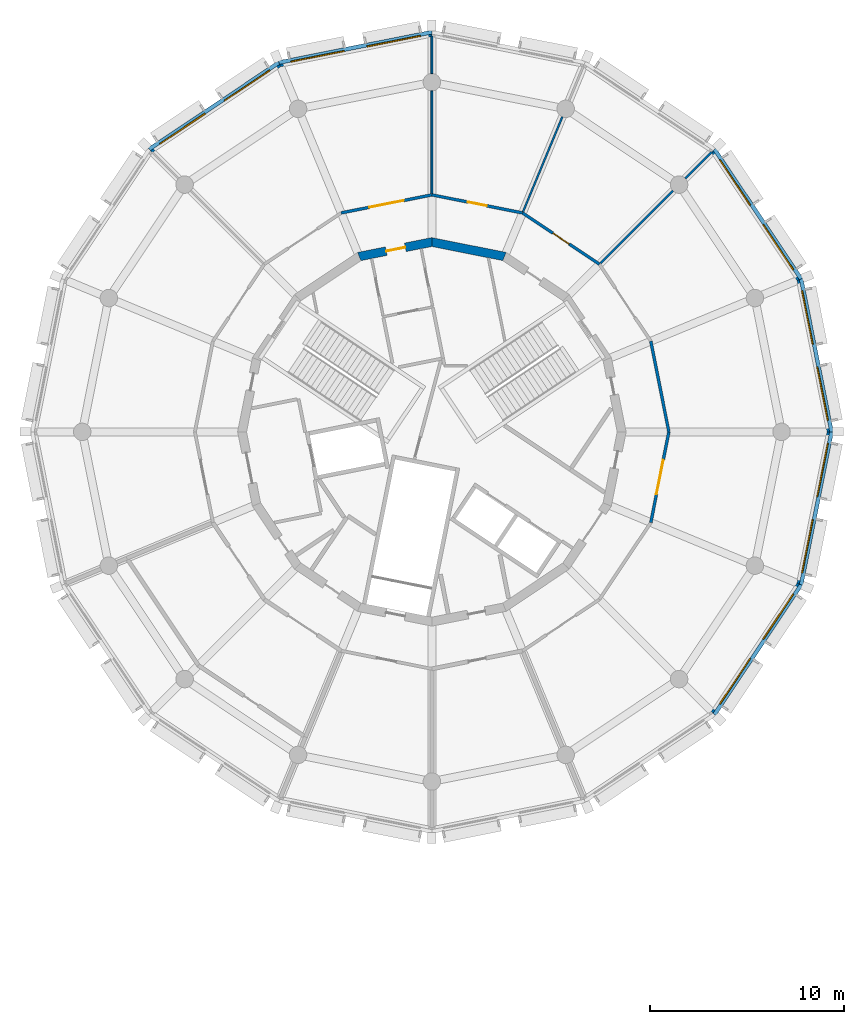
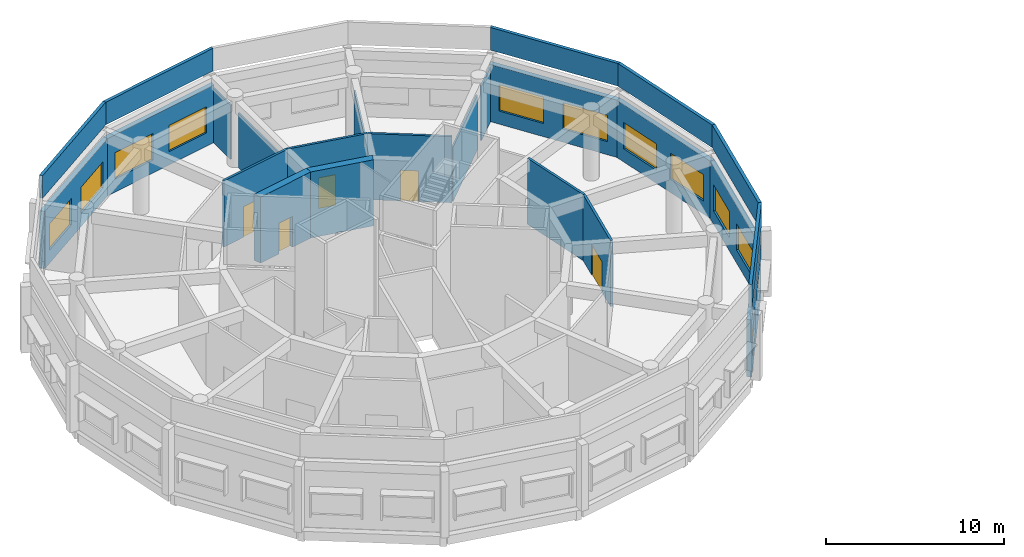
# One storey, part 6 of 8: 24 walls, 12 windows, 5 doors, 17 openings.
"""IFC4 building model written with IfcOpenShell, lengths in metres."""

from ifc_helpers import new_model, si_unit, direction, frame, frame_2d, origin, place, context, subcontext, project, spatial, polyline, rectangle, outline, extrude, material, layer, layer_set, type_object, element, fill, save


model = new_model("IFC4")

# Units and contexts
model_context = context("Model", 3, precision=1e-05, world=origin(), true_north=direction((0.0, 1.0)))
body_context = subcontext(model_context, "Body", "Model", "MODEL_VIEW")
ifc_project = project(units=[si_unit("LENGTHUNIT", "METRE"), si_unit("AREAUNIT", "SQUARE_METRE"), si_unit("VOLUMEUNIT", "CUBIC_METRE"), si_unit("PLANEANGLEUNIT", "RADIAN"), si_unit("MASSUNIT", "GRAM", prefix="KILO")], contexts=[model_context])

# Site, building, storey
site_placement = place(None, origin())
site = spatial("IfcSite", under=ifc_project, at=site_placement, CompositionType="ELEMENT")
building_placement = place(site_placement, origin())
building = spatial("IfcBuilding", under=site, at=building_placement, Name="Ceibo Conservatory and Research Tower", CompositionType="ELEMENT")
storey_placement = place(building_placement, frame((0.0, 0.0, 20.39990234375)))
storey = spatial("IfcBuildingStorey", under=building, at=storey_placement, Name="L04", CompositionType="ELEMENT", Elevation=20.39990234375)

# Wall
ifc_material_1 = material(Name="Concrete C35/45", Category="concrete")
ifc_layer_1 = layer(ifc_material_1, 0.449951171875)
ifc_layer_set_1 = layer_set([ifc_layer_1], Name="Concrete C35/45")
wall_type_1 = type_object("IfcWallType", Name="Core wall 450 C35", PredefinedType="SHEAR", material=ifc_layer_set_1)
wall_1_placement = place(storey_placement, frame((51.739013671875, 129.02685546875, 0.0), z_axis=(0.0, 0.0, 1.0), x_axis=(-0.98078948206, 0.195069197673, 0.0)))
element("IfcWall", 1, at=wall_1_placement, inside=storey, type_object=wall_type_1, Name="Core wall L04 04", PredefinedType="SHEAR", context=body_context, shape_type="SweptSolid", body=[
    extrude(outline(polyline([(-0.044677734375, -0.22509765625), (3.85693359375, -0.22509765625), (3.767578125, 0.22509765625), (0.044677734375, 0.22509765625), (-0.044677734375, -0.22509765625)])), origin(), (0.0, 0.0, 1.0), 4.52001953125),
])

# Wall, opening, door
wall_2_placement = place(storey_placement, frame((48.0, 129.7705078125, 0.0), z_axis=(0.0, 0.0, 1.0), x_axis=(-0.98078948206, -0.195069197673, 0.0)))
wall_2 = element("IfcWall", 2, at=wall_2_placement, inside=storey, type_object=wall_type_1, Name="Core wall L04 05", PredefinedType="SHEAR", context=body_context, shape_type="SweptSolid", body=[
    extrude(outline(polyline([(-0.044677734375, -0.22509765625), (3.85693359375, -0.22509765625), (3.767578125, 0.22509765625), (0.044677734375, 0.22509765625), (-0.044677734375, -0.22509765625)])), origin(), (0.0, 0.0, 1.0), 4.52001953125),
])
opening_1_placement = place(wall_2_placement, frame((1.394775390625, 0.0, 0.0)))
opening_1 = element("IfcOpeningElement", 3, at=opening_1_placement, cuts=wall_2, Name="Opening C04-07", PredefinedType="OPENING", context=body_context, shape_type="SweptSolid", body=[
    extrude(rectangle(XDim=1.0, YDim=2.10009765625, at=frame_2d((0.5, 1.050048828125))), frame((0.0, 0.23486328125, 0.0), z_axis=(0.0, -1.0, 0.0), x_axis=(1.0, 0.0, 0.0)), (0.0, 0.0, 1.0), 0.469970703125),
])
ifc_material_2 = material(Name="Galvanised sheet steel DX51D", Category="steel")
door_type_1 = type_object("IfcDoorType", Name="Lobby door 1000x2100 EI 60 (left hand)", OperationType="SINGLE_SWING_LEFT", PredefinedType="DOOR", material=ifc_material_2)
door_1_placement = place(opening_1_placement, frame((1.0, 0.0, 0.0), z_axis=(0.0, 0.0, 1.0), x_axis=(-1.0, 0.0, 0.0)))
door_1 = element("IfcDoor", 4, at=door_1_placement, inside=storey, type_object=door_type_1, Name="WC Lobby door 04", OperationType="SINGLE_SWING_LEFT", OverallHeight=2.10009765625, OverallWidth=1.0, PredefinedType="DOOR", context=body_context, shape_type="SweptSolid", body=[
    extrude(rectangle(XDim=1.0, YDim=2.10009765625, at=frame_2d((0.5, 1.050048828125))), frame((0.0, 0.02490234375, 0.0), z_axis=(0.0, -1.0, 0.0), x_axis=(1.0, 0.0, 0.0)), (0.0, 0.0, 1.0), 0.050048828125),
])
fill(opening_1, door_1)

# Wall
ifc_material_3 = material(Name="Plasterboard on metal studs, fire board")
ifc_layer_2 = layer(ifc_material_3, 0.14990234375)
ifc_layer_set_2 = layer_set([ifc_layer_2], Name="Plasterboard on metal studs, fire board")
wall_type_2 = type_object("IfcWallType", Name="Corridor wall 150 EI 60", PredefinedType="PARTITIONING", material=ifc_layer_set_2)
wall_3_placement = place(storey_placement, frame((59.271240234375, 124.668701171875, 0.0), z_axis=(0.0, 0.0, 1.0), x_axis=(0.195100129956, -0.980783329432, 0.0)))
element("IfcWall", 5, at=wall_3_placement, inside=storey, type_object=wall_type_2, Name="Partition 04.002", PredefinedType="PARTITIONING", context=body_context, shape_type="SweptSolid", body=[
    extrude(rectangle(XDim=4.76025390625, YDim=0.14990234375, at=frame_2d((2.380126953125, 0.0))), origin(), (0.0, 0.0, 1.0), 4.52001953125),
])

# Wall, opening, door
wall_4_placement = place(storey_placement, frame((52.668701171875, 131.271240234375, 0.0), z_axis=(0.0, 0.0, 1.0), x_axis=(0.831481744248, -0.555552075851, 0.0)))
wall_4 = element("IfcWall", 6, at=wall_4_placement, inside=storey, type_object=wall_type_2, Name="Partition 04.003", PredefinedType="PARTITIONING", context=body_context, shape_type="SweptSolid", body=[
    extrude(rectangle(XDim=4.76025390625, YDim=0.14990234375, at=frame_2d((2.380126953125, 0.0))), origin(), (0.0, 0.0, 1.0), 4.52001953125),
])
opening_2_placement = place(wall_4_placement, frame((1.880126953125, 0.0, 0.0)))
opening_2 = element("IfcOpeningElement", 7, at=opening_2_placement, cuts=wall_4, Name="Opening T04-09", PredefinedType="OPENING", context=body_context, shape_type="SweptSolid", body=[
    extrude(rectangle(XDim=1.0, YDim=2.10009765625, at=frame_2d((0.5, 1.050048828125))), frame((0.0, 0.0849609375, 0.0), z_axis=(0.0, -1.0, 0.0), x_axis=(1.0, 0.0, 0.0)), (0.0, 0.0, 1.0), 0.169921875),
])
door_type_2 = type_object("IfcDoorType", Name="Door fire single wide 1000x2100 EI 60 (left hand)", OperationType="SINGLE_SWING_LEFT", PredefinedType="DOOR", material=ifc_material_2)
door_2_placement = place(opening_2_placement, origin())
door_2 = element("IfcDoor", 8, at=door_2_placement, inside=storey, type_object=door_type_2, Name="Door T04-09", OperationType="SINGLE_SWING_LEFT", OverallHeight=2.10009765625, OverallWidth=1.0, PredefinedType="DOOR", context=body_context, shape_type="SweptSolid", body=[
    extrude(rectangle(XDim=1.0, YDim=2.10009765625, at=frame_2d((0.5, 1.050048828125))), frame((0.0, 0.02490234375, 0.0), z_axis=(0.0, -1.0, 0.0), x_axis=(1.0, 0.0, 0.0)), (0.0, 0.0, 1.0), 0.050048828125),
])
fill(opening_2, door_2)

wall_5_placement = place(storey_placement, frame((48.0, 132.199951171875, 0.0), z_axis=(0.0, 0.0, 1.0), x_axis=(0.980783329432, -0.195100129956, 0.0)))
wall_5 = element("IfcWall", 9, at=wall_5_placement, inside=storey, type_object=wall_type_2, Name="Partition 04.004", PredefinedType="PARTITIONING", context=body_context, shape_type="SweptSolid", body=[
    extrude(rectangle(XDim=4.76025390625, YDim=0.14990234375, at=frame_2d((2.380126953125, 0.0))), origin(), (0.0, 0.0, 1.0), 4.52001953125),
])
opening_3_placement = place(wall_5_placement, frame((1.880126953125, 0.0, 0.0)))
opening_3 = element("IfcOpeningElement", 10, at=opening_3_placement, cuts=wall_5, Name="Opening T04-10", PredefinedType="OPENING", context=body_context, shape_type="SweptSolid", body=[
    extrude(rectangle(XDim=1.0, YDim=2.10009765625, at=frame_2d((0.5, 1.050048828125))), frame((0.0, 0.0849609375, 0.0), z_axis=(0.0, -1.0, 0.0), x_axis=(1.0, 0.0, 0.0)), (0.0, 0.0, 1.0), 0.169921875),
])
door_3_placement = place(opening_3_placement, origin())
door_3 = element("IfcDoor", 11, at=door_3_placement, inside=storey, type_object=door_type_2, Name="Door T04-10", OperationType="SINGLE_SWING_LEFT", OverallHeight=2.10009765625, OverallWidth=1.0, PredefinedType="DOOR", context=body_context, shape_type="SweptSolid", body=[
    extrude(rectangle(XDim=1.0, YDim=2.10009765625, at=frame_2d((0.5, 1.050048828125))), frame((0.0, 0.02490234375, 0.0), z_axis=(0.0, -1.0, 0.0), x_axis=(1.0, 0.0, 0.0)), (0.0, 0.0, 1.0), 0.050048828125),
])
fill(opening_3, door_3)

wall_6_placement = place(storey_placement, frame((43.331298828125, 131.271240234375, 0.0), z_axis=(0.0, 0.0, 1.0), x_axis=(0.980783329432, 0.195100129956, 0.0)))
wall_6 = element("IfcWall", 12, at=wall_6_placement, inside=storey, type_object=wall_type_2, Name="Partition 04.006", PredefinedType="PARTITIONING", context=body_context, shape_type="SweptSolid", body=[
    extrude(rectangle(XDim=4.76025390625, YDim=0.14990234375, at=frame_2d((2.380126953125, 0.0))), origin(), (0.0, 0.0, 1.0), 4.52001953125),
])
opening_4_placement = place(wall_6_placement, frame((1.480224609375, 0.0, 0.0)))
opening_4 = element("IfcOpeningElement", 13, at=opening_4_placement, cuts=wall_6, Name="Opening T04-11", PredefinedType="OPENING", context=body_context, shape_type="SweptSolid", body=[
    extrude(rectangle(XDim=1.800048828125, YDim=2.10009765625, at=frame_2d((0.89990234375, 1.050048828125))), frame((0.0, 0.0849609375, 0.0), z_axis=(0.0, -1.0, 0.0), x_axis=(1.0, 0.0, 0.0)), (0.0, 0.0, 1.0), 0.169921875),
])
door_type_3 = type_object("IfcDoorType", Name="Door fire double 1800x2100 EI 60", OperationType="DOUBLE_DOOR_SINGLE_SWING", PredefinedType="DOOR", material=ifc_material_2)
door_4_placement = place(opening_4_placement, origin())
door_4 = element("IfcDoor", 14, at=door_4_placement, inside=storey, type_object=door_type_3, Name="Door T04-11", OperationType="DOUBLE_DOOR_SINGLE_SWING", OverallHeight=2.10009765625, OverallWidth=1.800048828125, PredefinedType="DOOR", context=body_context, shape_type="SweptSolid", body=[
    extrude(rectangle(XDim=1.800048828125, YDim=2.10009765625, at=frame_2d((0.89990234375, 1.050048828125))), frame((0.0, 0.02490234375, 0.0), z_axis=(0.0, -1.0, 0.0), x_axis=(1.0, 0.0, 0.0)), (0.0, 0.0, 1.0), 0.050048828125),
])
fill(opening_4, door_4)

wall_7_placement = place(storey_placement, frame((60.199951171875, 120.0, 0.0), z_axis=(0.0, 0.0, 1.0), x_axis=(-0.195100129956, -0.980783329432, 0.0)))
wall_7 = element("IfcWall", 15, at=wall_7_placement, inside=storey, type_object=wall_type_2, Name="Partition 04.014", PredefinedType="PARTITIONING", context=body_context, shape_type="SweptSolid", body=[
    extrude(rectangle(XDim=4.76025390625, YDim=0.14990234375, at=frame_2d((2.380126953125, 0.0))), origin(), (0.0, 0.0, 1.0), 4.52001953125),
])
opening_5_placement = place(wall_7_placement, frame((1.480224609375, 0.0, 0.0)))
opening_5 = element("IfcOpeningElement", 16, at=opening_5_placement, cuts=wall_7, Name="Opening T04-07", PredefinedType="OPENING", context=body_context, shape_type="SweptSolid", body=[
    extrude(rectangle(XDim=1.800048828125, YDim=2.10009765625, at=frame_2d((0.89990234375, 1.050048828125))), frame((0.0, 0.0849609375, 0.0), z_axis=(0.0, -1.0, 0.0), x_axis=(1.0, 0.0, 0.0)), (0.0, 0.0, 1.0), 0.169921875),
])
door_5_placement = place(opening_5_placement, origin())
door_5 = element("IfcDoor", 17, at=door_5_placement, inside=storey, type_object=door_type_3, Name="Door T04-07", OperationType="DOUBLE_DOOR_SINGLE_SWING", OverallHeight=2.10009765625, OverallWidth=1.800048828125, PredefinedType="DOOR", context=body_context, shape_type="SweptSolid", body=[
    extrude(rectangle(XDim=1.800048828125, YDim=2.10009765625, at=frame_2d((0.89990234375, 1.050048828125))), frame((0.0, 0.02490234375, 0.0), z_axis=(0.0, -1.0, 0.0), x_axis=(1.0, 0.0, 0.0)), (0.0, 0.0, 1.0), 0.050048828125),
])
fill(opening_5, door_5)

# Wall, openings, windows
ifc_material_4 = material(Name="Ceramic mosaic tessera")
ifc_layer_3 = layer(ifc_material_4, 0.010009765625, Name="Ceramic mosaic")
ifc_material_5 = material(Name="Polymer-modified bedding mortar")
ifc_layer_4 = layer(ifc_material_5, 0.014892578125, Name="Bedding mortar")
ifc_material_6 = material(Name="Mineral wool insulation")
ifc_layer_5 = layer(ifc_material_6, 0.050048828125, Name="Insulation")
ifc_material_7 = material(Name="Concrete C30/37", Category="concrete")
ifc_layer_6 = layer(ifc_material_7, 0.215087890625, Name="Reinforced concrete leaf")
ifc_material_8 = material(Name="Gypsum plaster")
ifc_layer_7 = layer(ifc_material_8, 0.010009765625, Name="Internal plaster")
ifc_layer_set_3 = layer_set([ifc_layer_3, ifc_layer_4, ifc_layer_5, ifc_layer_6, ifc_layer_7], Name="Concrete C30/37")
wall_type_3 = type_object("IfcWallType", Name="Facade panel wall 300", PredefinedType="SOLIDWALL", material=ifc_layer_set_3)
wall_8_placement = place(storey_placement, frame((68.5, 120.0, 0.0), z_axis=(0.0, 0.0, 1.0), x_axis=(-0.195100566, 0.980783242692, 0.0)))
wall_8 = element("IfcWall", 18, at=wall_8_placement, inside=storey, type_object=wall_type_3, Name="Facade wall L04 facet 1", PredefinedType="SOLIDWALL", context=body_context, shape_type="SweptSolid", body=[
    extrude(outline(polyline([(-0.02978515625, -0.14990234375), (8.028564453125, -0.14990234375), (7.968994140625, 0.14990234375), (0.02978515625, 0.14990234375), (-0.02978515625, -0.14990234375)])), origin(), (0.0, 0.0, 1.0), 3.920166015625),
])
opening_6_placement = place(wall_8_placement, frame((0.599609375, 0.0, 0.89990234375)))
opening_6 = element("IfcOpeningElement", 19, at=opening_6_placement, cuts=wall_8, Name="Opening PW2", PredefinedType="OPENING", context=body_context, shape_type="SweptSolid", body=[
    extrude(rectangle(XDim=2.800048828125, YDim=1.800048828125, at=frame_2d((1.39990234375, 0.89990234375))), frame((0.0, 0.159912109375, 0.0), z_axis=(0.0, -1.0, 0.0), x_axis=(1.0, 0.0, 0.0)), (0.0, 0.0, 1.0), 0.320068359375),
])
opening_7_placement = place(wall_8_placement, frame((4.59912109375, 0.0, 0.89990234375)))
opening_7 = element("IfcOpeningElement", 20, at=opening_7_placement, cuts=wall_8, Name="Opening PW2", PredefinedType="OPENING", context=body_context, shape_type="SweptSolid", body=[
    extrude(rectangle(XDim=2.800048828125, YDim=1.800048828125, at=frame_2d((1.39990234375, 0.89990234375))), frame((0.0, 0.159912109375, 0.0), z_axis=(0.0, -1.0, 0.0), x_axis=(1.0, 0.0, 0.0)), (0.0, 0.0, 1.0), 0.320068359375),
])
ifc_material_9 = material(Name="Aluminium frame with double glazing", Category="aluminium")
window_type = type_object("IfcWindowType", Name="Punched window PW1 2800 x 1800", PartitioningType="DOUBLE_PANEL_VERTICAL", PredefinedType="WINDOW", material=ifc_material_9)
window_1_placement = place(opening_6_placement, origin())
window_1 = element("IfcWindow", 21, at=window_1_placement, inside=storey, type_object=window_type, Name="T.L04.F00.WIN.1", OverallHeight=1.800048828125, OverallWidth=2.800048828125, PartitioningType="DOUBLE_PANEL_VERTICAL", PredefinedType="WINDOW", context=body_context, shape_type="SweptSolid", body=[
    extrude(rectangle(XDim=2.800048828125, YDim=1.800048828125, at=frame_2d((1.39990234375, 0.89990234375))), frame((0.0, 0.030029296875, 0.0), z_axis=(0.0, -1.0, 0.0), x_axis=(1.0, 0.0, 0.0)), (0.0, 0.0, 1.0), 0.06005859375),
])
fill(opening_6, window_1)
window_2_placement = place(opening_7_placement, origin())
window_2 = element("IfcWindow", 22, at=window_2_placement, inside=storey, type_object=window_type, Name="T.L04.F00.WIN.2", OverallHeight=1.800048828125, OverallWidth=2.800048828125, PartitioningType="DOUBLE_PANEL_VERTICAL", PredefinedType="WINDOW", context=body_context, shape_type="SweptSolid", body=[
    extrude(rectangle(XDim=2.800048828125, YDim=1.800048828125, at=frame_2d((1.39990234375, 0.89990234375))), frame((0.0, 0.030029296875, 0.0), z_axis=(0.0, -1.0, 0.0), x_axis=(1.0, 0.0, 0.0)), (0.0, 0.0, 1.0), 0.06005859375),
])
fill(opening_7, window_2)

wall_9_placement = place(storey_placement, frame((66.939453125, 127.844970703125, 0.0), z_axis=(0.0, 0.0, 1.0), x_axis=(-0.555573308032, 0.831467557637, 0.0)))
wall_9 = element("IfcWall", 23, at=wall_9_placement, inside=storey, type_object=wall_type_3, Name="Facade wall L04 facet 2", PredefinedType="SOLIDWALL", context=body_context, shape_type="SweptSolid", body=[
    extrude(outline(polyline([(-0.02978515625, -0.14990234375), (8.028564453125, -0.14990234375), (7.968994140625, 0.14990234375), (0.02978515625, 0.14990234375), (-0.02978515625, -0.14990234375)])), origin(), (0.0, 0.0, 1.0), 3.920166015625),
])
opening_8_placement = place(wall_9_placement, frame((0.599609375, 0.0, 0.89990234375)))
opening_8 = element("IfcOpeningElement", 24, at=opening_8_placement, cuts=wall_9, Name="Opening PW2", PredefinedType="OPENING", context=body_context, shape_type="SweptSolid", body=[
    extrude(rectangle(XDim=2.800048828125, YDim=1.800048828125, at=frame_2d((1.39990234375, 0.89990234375))), frame((0.0, 0.159912109375, 0.0), z_axis=(0.0, -1.0, 0.0), x_axis=(1.0, 0.0, 0.0)), (0.0, 0.0, 1.0), 0.320068359375),
])
opening_9_placement = place(wall_9_placement, frame((4.59912109375, 0.0, 0.89990234375)))
opening_9 = element("IfcOpeningElement", 25, at=opening_9_placement, cuts=wall_9, Name="Opening PW2", PredefinedType="OPENING", context=body_context, shape_type="SweptSolid", body=[
    extrude(rectangle(XDim=2.800048828125, YDim=1.800048828125, at=frame_2d((1.39990234375, 0.89990234375))), frame((0.0, 0.159912109375, 0.0), z_axis=(0.0, -1.0, 0.0), x_axis=(1.0, 0.0, 0.0)), (0.0, 0.0, 1.0), 0.320068359375),
])
window_3_placement = place(opening_8_placement, origin())
window_3 = element("IfcWindow", 26, at=window_3_placement, inside=storey, type_object=window_type, Name="T.L04.F01.WIN.1", OverallHeight=1.800048828125, OverallWidth=2.800048828125, PartitioningType="DOUBLE_PANEL_VERTICAL", PredefinedType="WINDOW", context=body_context, shape_type="SweptSolid", body=[
    extrude(rectangle(XDim=2.800048828125, YDim=1.800048828125, at=frame_2d((1.39990234375, 0.89990234375))), frame((0.0, 0.030029296875, 0.0), z_axis=(0.0, -1.0, 0.0), x_axis=(1.0, 0.0, 0.0)), (0.0, 0.0, 1.0), 0.06005859375),
])
fill(opening_8, window_3)
window_4_placement = place(opening_9_placement, origin())
window_4 = element("IfcWindow", 27, at=window_4_placement, inside=storey, type_object=window_type, Name="T.L04.F01.WIN.2", OverallHeight=1.800048828125, OverallWidth=2.800048828125, PartitioningType="DOUBLE_PANEL_VERTICAL", PredefinedType="WINDOW", context=body_context, shape_type="SweptSolid", body=[
    extrude(rectangle(XDim=2.800048828125, YDim=1.800048828125, at=frame_2d((1.39990234375, 0.89990234375))), frame((0.0, 0.030029296875, 0.0), z_axis=(0.0, -1.0, 0.0), x_axis=(1.0, 0.0, 0.0)), (0.0, 0.0, 1.0), 0.06005859375),
])
fill(opening_9, window_4)

wall_10_placement = place(storey_placement, frame((48.0, 140.5, 0.0), z_axis=(0.0, 0.0, 1.0), x_axis=(-0.980783242692, -0.195100566, 0.0)))
wall_10 = element("IfcWall", 28, at=wall_10_placement, inside=storey, type_object=wall_type_3, Name="Facade wall L04 facet 5", PredefinedType="SOLIDWALL", context=body_context, shape_type="SweptSolid", body=[
    extrude(outline(polyline([(-0.02978515625, -0.14990234375), (8.028564453125, -0.14990234375), (7.968994140625, 0.14990234375), (0.02978515625, 0.14990234375), (-0.02978515625, -0.14990234375)])), origin(), (0.0, 0.0, 1.0), 3.920166015625),
])
opening_10_placement = place(wall_10_placement, frame((0.599609375, 0.0, 0.89990234375)))
opening_10 = element("IfcOpeningElement", 29, at=opening_10_placement, cuts=wall_10, Name="Opening PW2", PredefinedType="OPENING", context=body_context, shape_type="SweptSolid", body=[
    extrude(rectangle(XDim=2.800048828125, YDim=1.800048828125, at=frame_2d((1.39990234375, 0.89990234375))), frame((0.0, 0.159912109375, 0.0), z_axis=(0.0, -1.0, 0.0), x_axis=(1.0, 0.0, 0.0)), (0.0, 0.0, 1.0), 0.320068359375),
])
opening_11_placement = place(wall_10_placement, frame((4.59912109375, 0.0, 0.89990234375)))
opening_11 = element("IfcOpeningElement", 30, at=opening_11_placement, cuts=wall_10, Name="Opening PW2", PredefinedType="OPENING", context=body_context, shape_type="SweptSolid", body=[
    extrude(rectangle(XDim=2.800048828125, YDim=1.800048828125, at=frame_2d((1.39990234375, 0.89990234375))), frame((0.0, 0.159912109375, 0.0), z_axis=(0.0, -1.0, 0.0), x_axis=(1.0, 0.0, 0.0)), (0.0, 0.0, 1.0), 0.320068359375),
])
window_5_placement = place(opening_10_placement, origin())
window_5 = element("IfcWindow", 31, at=window_5_placement, inside=storey, type_object=window_type, Name="T.L04.F04.WIN.1", OverallHeight=1.800048828125, OverallWidth=2.800048828125, PartitioningType="DOUBLE_PANEL_VERTICAL", PredefinedType="WINDOW", context=body_context, shape_type="SweptSolid", body=[
    extrude(rectangle(XDim=2.800048828125, YDim=1.800048828125, at=frame_2d((1.39990234375, 0.89990234375))), frame((0.0, 0.030029296875, 0.0), z_axis=(0.0, -1.0, 0.0), x_axis=(1.0, 0.0, 0.0)), (0.0, 0.0, 1.0), 0.06005859375),
])
fill(opening_10, window_5)
window_6_placement = place(opening_11_placement, origin())
window_6 = element("IfcWindow", 32, at=window_6_placement, inside=storey, type_object=window_type, Name="T.L04.F04.WIN.2", OverallHeight=1.800048828125, OverallWidth=2.800048828125, PartitioningType="DOUBLE_PANEL_VERTICAL", PredefinedType="WINDOW", context=body_context, shape_type="SweptSolid", body=[
    extrude(rectangle(XDim=2.800048828125, YDim=1.800048828125, at=frame_2d((1.39990234375, 0.89990234375))), frame((0.0, 0.030029296875, 0.0), z_axis=(0.0, -1.0, 0.0), x_axis=(1.0, 0.0, 0.0)), (0.0, 0.0, 1.0), 0.06005859375),
])
fill(opening_11, window_6)

wall_11_placement = place(storey_placement, frame((40.155029296875, 138.939453125, 0.0), z_axis=(0.0, 0.0, 1.0), x_axis=(-0.831467557637, -0.555573308032, 0.0)))
wall_11 = element("IfcWall", 33, at=wall_11_placement, inside=storey, type_object=wall_type_3, Name="Facade wall L04 facet 6", PredefinedType="SOLIDWALL", context=body_context, shape_type="SweptSolid", body=[
    extrude(outline(polyline([(-0.02978515625, -0.14990234375), (8.028564453125, -0.14990234375), (7.968994140625, 0.14990234375), (0.02978515625, 0.14990234375), (-0.02978515625, -0.14990234375)])), origin(), (0.0, 0.0, 1.0), 3.920166015625),
])
opening_12_placement = place(wall_11_placement, frame((0.599609375, 0.0, 0.89990234375)))
opening_12 = element("IfcOpeningElement", 34, at=opening_12_placement, cuts=wall_11, Name="Opening PW2", PredefinedType="OPENING", context=body_context, shape_type="SweptSolid", body=[
    extrude(rectangle(XDim=2.800048828125, YDim=1.800048828125, at=frame_2d((1.39990234375, 0.89990234375))), frame((0.0, 0.159912109375, 0.0), z_axis=(0.0, -1.0, 0.0), x_axis=(1.0, 0.0, 0.0)), (0.0, 0.0, 1.0), 0.320068359375),
])
opening_13_placement = place(wall_11_placement, frame((4.59912109375, 0.0, 0.89990234375)))
opening_13 = element("IfcOpeningElement", 35, at=opening_13_placement, cuts=wall_11, Name="Opening PW2", PredefinedType="OPENING", context=body_context, shape_type="SweptSolid", body=[
    extrude(rectangle(XDim=2.800048828125, YDim=1.800048828125, at=frame_2d((1.39990234375, 0.89990234375))), frame((0.0, 0.159912109375, 0.0), z_axis=(0.0, -1.0, 0.0), x_axis=(1.0, 0.0, 0.0)), (0.0, 0.0, 1.0), 0.320068359375),
])
window_7_placement = place(opening_12_placement, origin())
window_7 = element("IfcWindow", 36, at=window_7_placement, inside=storey, type_object=window_type, Name="T.L04.F05.WIN.1", OverallHeight=1.800048828125, OverallWidth=2.800048828125, PartitioningType="DOUBLE_PANEL_VERTICAL", PredefinedType="WINDOW", context=body_context, shape_type="SweptSolid", body=[
    extrude(rectangle(XDim=2.800048828125, YDim=1.800048828125, at=frame_2d((1.39990234375, 0.89990234375))), frame((0.0, 0.030029296875, 0.0), z_axis=(0.0, -1.0, 0.0), x_axis=(1.0, 0.0, 0.0)), (0.0, 0.0, 1.0), 0.06005859375),
])
fill(opening_12, window_7)
window_8_placement = place(opening_13_placement, origin())
window_8 = element("IfcWindow", 37, at=window_8_placement, inside=storey, type_object=window_type, Name="T.L04.F05.WIN.2", OverallHeight=1.800048828125, OverallWidth=2.800048828125, PartitioningType="DOUBLE_PANEL_VERTICAL", PredefinedType="WINDOW", context=body_context, shape_type="SweptSolid", body=[
    extrude(rectangle(XDim=2.800048828125, YDim=1.800048828125, at=frame_2d((1.39990234375, 0.89990234375))), frame((0.0, 0.030029296875, 0.0), z_axis=(0.0, -1.0, 0.0), x_axis=(1.0, 0.0, 0.0)), (0.0, 0.0, 1.0), 0.06005859375),
])
fill(opening_13, window_8)

wall_12_placement = place(storey_placement, frame((62.49560546875, 105.50439453125, 0.0), z_axis=(0.0, 0.0, 1.0), x_axis=(0.555573308032, 0.831467557637, 0.0)))
wall_12 = element("IfcWall", 38, at=wall_12_placement, inside=storey, type_object=wall_type_3, Name="Facade wall L04 facet 15", PredefinedType="SOLIDWALL", context=body_context, shape_type="SweptSolid", body=[
    extrude(outline(polyline([(-0.02978515625, -0.14990234375), (8.028564453125, -0.14990234375), (7.968994140625, 0.14990234375), (0.02978515625, 0.14990234375), (-0.02978515625, -0.14990234375)])), origin(), (0.0, 0.0, 1.0), 3.920166015625),
])
opening_14_placement = place(wall_12_placement, frame((0.599609375, 0.0, 0.89990234375)))
opening_14 = element("IfcOpeningElement", 39, at=opening_14_placement, cuts=wall_12, Name="Opening PW2", PredefinedType="OPENING", context=body_context, shape_type="SweptSolid", body=[
    extrude(rectangle(XDim=2.800048828125, YDim=1.800048828125, at=frame_2d((1.39990234375, 0.89990234375))), frame((0.0, 0.159912109375, 0.0), z_axis=(0.0, -1.0, 0.0), x_axis=(1.0, 0.0, 0.0)), (0.0, 0.0, 1.0), 0.320068359375),
])
opening_15_placement = place(wall_12_placement, frame((4.59912109375, 0.0, 0.89990234375)))
opening_15 = element("IfcOpeningElement", 40, at=opening_15_placement, cuts=wall_12, Name="Opening PW2", PredefinedType="OPENING", context=body_context, shape_type="SweptSolid", body=[
    extrude(rectangle(XDim=2.800048828125, YDim=1.800048828125, at=frame_2d((1.39990234375, 0.89990234375))), frame((0.0, 0.159912109375, 0.0), z_axis=(0.0, -1.0, 0.0), x_axis=(1.0, 0.0, 0.0)), (0.0, 0.0, 1.0), 0.320068359375),
])
window_9_placement = place(opening_14_placement, origin())
window_9 = element("IfcWindow", 41, at=window_9_placement, inside=storey, type_object=window_type, Name="T.L04.F14.WIN.1", OverallHeight=1.800048828125, OverallWidth=2.800048828125, PartitioningType="DOUBLE_PANEL_VERTICAL", PredefinedType="WINDOW", context=body_context, shape_type="SweptSolid", body=[
    extrude(rectangle(XDim=2.800048828125, YDim=1.800048828125, at=frame_2d((1.39990234375, 0.89990234375))), frame((0.0, 0.030029296875, 0.0), z_axis=(0.0, -1.0, 0.0), x_axis=(1.0, 0.0, 0.0)), (0.0, 0.0, 1.0), 0.06005859375),
])
fill(opening_14, window_9)
window_10_placement = place(opening_15_placement, origin())
window_10 = element("IfcWindow", 42, at=window_10_placement, inside=storey, type_object=window_type, Name="T.L04.F14.WIN.2", OverallHeight=1.800048828125, OverallWidth=2.800048828125, PartitioningType="DOUBLE_PANEL_VERTICAL", PredefinedType="WINDOW", context=body_context, shape_type="SweptSolid", body=[
    extrude(rectangle(XDim=2.800048828125, YDim=1.800048828125, at=frame_2d((1.39990234375, 0.89990234375))), frame((0.0, 0.030029296875, 0.0), z_axis=(0.0, -1.0, 0.0), x_axis=(1.0, 0.0, 0.0)), (0.0, 0.0, 1.0), 0.06005859375),
])
fill(opening_15, window_10)

wall_13_placement = place(storey_placement, frame((66.939453125, 112.155029296875, 0.0), z_axis=(0.0, 0.0, 1.0), x_axis=(0.195100566, 0.980783242692, 0.0)))
wall_13 = element("IfcWall", 43, at=wall_13_placement, inside=storey, type_object=wall_type_3, Name="Facade wall L04 facet 16", PredefinedType="SOLIDWALL", context=body_context, shape_type="SweptSolid", body=[
    extrude(outline(polyline([(-0.02978515625, -0.14990234375), (8.028564453125, -0.14990234375), (7.968994140625, 0.14990234375), (0.02978515625, 0.14990234375), (-0.02978515625, -0.14990234375)])), origin(), (0.0, 0.0, 1.0), 3.920166015625),
])
opening_16_placement = place(wall_13_placement, frame((0.599609375, 0.0, 0.89990234375)))
opening_16 = element("IfcOpeningElement", 44, at=opening_16_placement, cuts=wall_13, Name="Opening PW2", PredefinedType="OPENING", context=body_context, shape_type="SweptSolid", body=[
    extrude(rectangle(XDim=2.800048828125, YDim=1.800048828125, at=frame_2d((1.39990234375, 0.89990234375))), frame((0.0, 0.159912109375, 0.0), z_axis=(0.0, -1.0, 0.0), x_axis=(1.0, 0.0, 0.0)), (0.0, 0.0, 1.0), 0.320068359375),
])
opening_17_placement = place(wall_13_placement, frame((4.59912109375, 0.0, 0.89990234375)))
opening_17 = element("IfcOpeningElement", 45, at=opening_17_placement, cuts=wall_13, Name="Opening PW2", PredefinedType="OPENING", context=body_context, shape_type="SweptSolid", body=[
    extrude(rectangle(XDim=2.800048828125, YDim=1.800048828125, at=frame_2d((1.39990234375, 0.89990234375))), frame((0.0, 0.159912109375, 0.0), z_axis=(0.0, -1.0, 0.0), x_axis=(1.0, 0.0, 0.0)), (0.0, 0.0, 1.0), 0.320068359375),
])
window_11_placement = place(opening_16_placement, origin())
window_11 = element("IfcWindow", 46, at=window_11_placement, inside=storey, type_object=window_type, Name="T.L04.F15.WIN.1", OverallHeight=1.800048828125, OverallWidth=2.800048828125, PartitioningType="DOUBLE_PANEL_VERTICAL", PredefinedType="WINDOW", context=body_context, shape_type="SweptSolid", body=[
    extrude(rectangle(XDim=2.800048828125, YDim=1.800048828125, at=frame_2d((1.39990234375, 0.89990234375))), frame((0.0, 0.030029296875, 0.0), z_axis=(0.0, -1.0, 0.0), x_axis=(1.0, 0.0, 0.0)), (0.0, 0.0, 1.0), 0.06005859375),
])
fill(opening_16, window_11)
window_12_placement = place(opening_17_placement, origin())
window_12 = element("IfcWindow", 47, at=window_12_placement, inside=storey, type_object=window_type, Name="T.L04.F15.WIN.2", OverallHeight=1.800048828125, OverallWidth=2.800048828125, PartitioningType="DOUBLE_PANEL_VERTICAL", PredefinedType="WINDOW", context=body_context, shape_type="SweptSolid", body=[
    extrude(rectangle(XDim=2.800048828125, YDim=1.800048828125, at=frame_2d((1.39990234375, 0.89990234375))), frame((0.0, 0.030029296875, 0.0), z_axis=(0.0, -1.0, 0.0), x_axis=(1.0, 0.0, 0.0)), (0.0, 0.0, 1.0), 0.06005859375),
])
fill(opening_17, window_12)

# Walls
ifc_layer_8 = layer(ifc_material_4, 0.010009765625, Name="Ceramic mosaic")
ifc_layer_9 = layer(ifc_material_7, 0.18994140625, Name="Reinforced concrete leaf")
ifc_layer_set_4 = layer_set([ifc_layer_8, ifc_layer_9], Name="Concrete C30/37")
wall_type_4 = type_object("IfcWallType", Name="Parapet wall 200", PredefinedType="PARAPET", material=ifc_layer_set_4)
for number, where, z_axis, x_axis, name in (
    (48, (68.576416015625, 120.0, 4.800048828125), (0.0, 0.0, 1.0), (-0.195075093926, 0.980788309336, 0.0), "Parapet L04 1"),
    (49, (67.01025390625, 127.874267578125, 4.800048828125), (0.0, 0.0, 1.0), (-0.555570054396, 0.831469731655, 0.0), "Parapet L04 2"),
    (50, (48.0, 140.576416015625, 4.800048828125), (0.0, 0.0, 1.0), (-0.980788309336, -0.195075093926, 0.0), "Parapet L04 5"),
    (51, (40.125732421875, 139.01025390625, 4.800048828125), (0.0, 0.0, 1.0), (-0.831469731655, -0.555570054396, 0.0), "Parapet L04 6"),
    (52, (62.5498046875, 105.4501953125, 4.800048828125), (0.0, 0.0, 1.0), (0.555570054396, 0.831469731655, 0.0), "Parapet L04 15"),
    (53, (67.01025390625, 112.125732421875, 4.800048828125), (0.0, 0.0, 1.0), (0.195075093926, 0.980788309336, 0.0), "Parapet L04 16"),
):
    element("IfcWall", number, at=place(storey_placement, frame(where, z_axis=z_axis, x_axis=x_axis)), inside=storey, type_object=wall_type_4, Name=name, PredefinedType="PARAPET", context=body_context, shape_type="SweptSolid", body=[
        extrude(outline(polyline([(-0.019775390625, -0.10009765625), (8.04833984375, -0.10009765625), (8.0087890625, 0.10009765625), (0.019775390625, 0.10009765625), (-0.019775390625, -0.10009765625)])), origin(), (0.0, 0.0, 1.0), 1.550048828125),
    ])
ifc_material_10 = material(Name="Plasterboard on metal studs")
ifc_layer_10 = layer(ifc_material_10, 0.10009765625)
ifc_layer_set_5 = layer_set([ifc_layer_10], Name="Plasterboard on metal studs")
wall_type_5 = type_object("IfcWallType", Name="Partition 100", PredefinedType="PARTITIONING", material=ifc_layer_set_5)
wall_14_placement = place(storey_placement, frame((56.67724609375, 128.67724609375, 0.0), z_axis=(0.0, 0.0, 1.0), x_axis=(0.707106781187, 0.707106781187, 0.0)))
element("IfcWall", 54, at=wall_14_placement, inside=storey, type_object=wall_type_5, Name="Partition 04.029", PredefinedType="PARTITIONING", context=body_context, shape_type="SweptSolid", body=[
    extrude(rectangle(XDim=5.28857421875, YDim=0.10009765625, at=frame_2d((2.644287109375, 0.0))), origin(), (0.0, 0.0, 1.0), 3.72021484375),
])
wall_15_placement = place(storey_placement, frame((61.0390625, 133.0390625, 0.0), z_axis=(0.0, 0.0, 1.0), x_axis=(0.707106781187, 0.707106781187, 0.0)))
element("IfcWall", 55, at=wall_15_placement, inside=storey, type_object=wall_type_5, Name="Partition 04.030", PredefinedType="PARTITIONING", context=body_context, shape_type="SweptSolid", body=[
    extrude(rectangle(XDim=1.927001953125, YDim=0.10009765625, at=frame_2d((0.96337890625, 0.0))), origin(), (0.0, 0.0, 1.0), 3.72021484375),
])
for number, where, z_axis, x_axis, name in (
    (56, (52.696044921875, 131.33740234375, 0.0), (0.0, 0.0, 1.0), (0.382696986079, 0.923873918263, 0.0), "Partition 04.031"),
    (57, (48.0, 132.271484375, 0.0), (0.0, 0.0, 1.0), (0.0, 1.0, 0.0), "Partition 04.033"),
):
    element("IfcWall", number, at=place(storey_placement, frame(where, z_axis=z_axis, x_axis=x_axis)), inside=storey, type_object=wall_type_5, Name=name, PredefinedType="PARTITIONING", context=body_context, shape_type="SweptSolid", body=[
        extrude(rectangle(XDim=5.28857421875, YDim=0.10009765625, at=frame_2d((2.644287109375, 0.0))), origin(), (0.0, 0.0, 1.0), 3.72021484375),
    ])
wall_16_placement = place(storey_placement, frame((48.0, 138.43994140625, 0.0), z_axis=(0.0, 0.0, 1.0), x_axis=(0.0, 1.0, 0.0)))
element("IfcWall", 58, at=wall_16_placement, inside=storey, type_object=wall_type_5, Name="Partition 04.034", PredefinedType="PARTITIONING", context=body_context, shape_type="SweptSolid", body=[
    extrude(rectangle(XDim=1.92724609375, YDim=0.10009765625, at=frame_2d((0.963623046875, 0.0))), origin(), (0.0, 0.0, 1.0), 3.72021484375),
])

save(model, "model.ifc")
